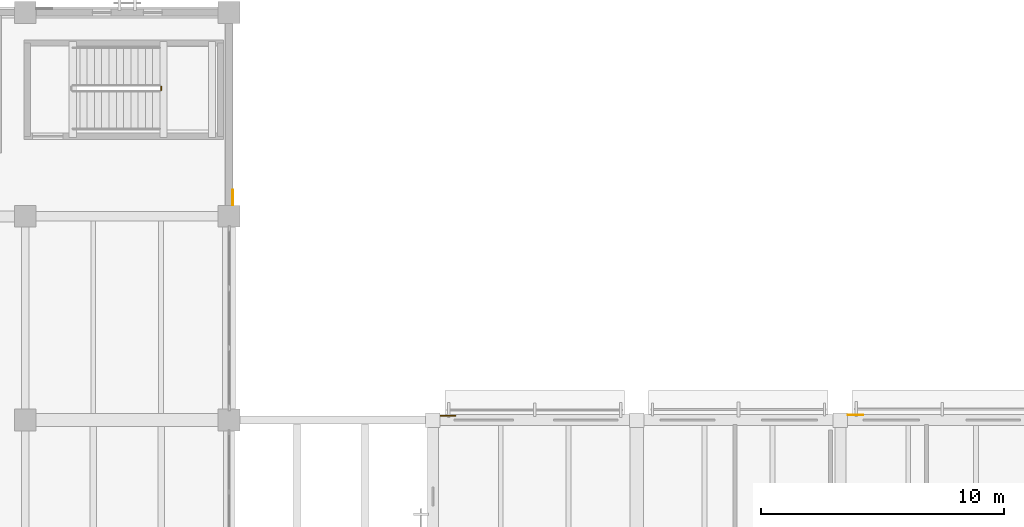
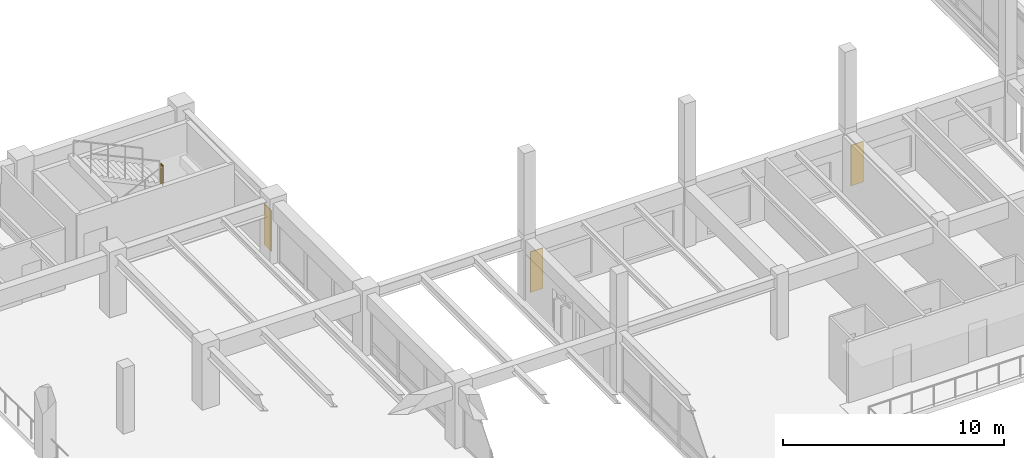
# One storey, part 97 of 118: 3 coverings, 1 railing.
"""IFC4 building model written with IfcOpenShell, lengths in metres."""

from ifc_helpers import new_model, si_unit, direction, frame, origin, origin_2d, place, context, subcontext, project, spatial, polyline, circle, outline, extrude, material, layer, layer_set, type_object, element, save


model = new_model("IFC4")

# Units and contexts
model_context = context("Model", 3, precision=1e-05, world=origin(), true_north=direction((0.0, 1.0)))
body_context = subcontext(model_context, "Body", "Model", "MODEL_VIEW")
ifc_project = project(units=[si_unit("LENGTHUNIT", "METRE"), si_unit("AREAUNIT", "SQUARE_METRE"), si_unit("VOLUMEUNIT", "CUBIC_METRE"), si_unit("PLANEANGLEUNIT", "RADIAN"), si_unit("MASSUNIT", "GRAM", prefix="KILO")], contexts=[model_context])

# Site, building, storey
site_placement = place(None, origin())
site = spatial("IfcSite", under=ifc_project, at=site_placement, CompositionType="ELEMENT")
building_placement = place(site_placement, origin())
building = spatial("IfcBuilding", under=site, at=building_placement, Name="Cumbredor Promenade Congress Hotel", CompositionType="ELEMENT")
storey_placement = place(building_placement, frame((0.0, 0.0, 3.919921875)))
storey = spatial("IfcBuildingStorey", under=building, at=storey_placement, Name="L01", CompositionType="ELEMENT", Elevation=3.919921875)

# Covering
ifc_material_1 = material(Name="Precast concrete C40/50", Category="concrete")
ifc_layer_1 = layer(ifc_material_1, 0.044921875, Name="Precast concrete C40/50", Category="concrete")
ifc_layer_set_1 = layer_set([ifc_layer_1], Name="Precast concrete C40/50")
covering_type_1 = type_object("IfcCoveringType", Name="Board-Formed Architectural Cladding Panel 45mm", PredefinedType="CLADDING", material=ifc_layer_set_1)
covering_1_placement = place(storey_placement, origin())
element("IfcCovering", 1, at=covering_1_placement, inside=storey, type_object=covering_type_1, Name="L01 Facade Stone Cladding Pier 064", PredefinedType="CLADDING", context=body_context, shape_type="SweptSolid", body=[
    extrude(outline(polyline([(75.90087890625, 50.5625), (76.551025390625, 50.5625), (76.551025390625, 50.607421875), (75.90087890625, 50.607421875), (75.90087890625, 50.5625)])), origin(), (0.0, 0.0, 1.0), 2.25),
])

# Railing
ifc_material_2 = material(Name="Brushed stainless steel", Category="steel")
railing_type = type_object("IfcRailingType", Name="Interior Void & Stair Guardrail GR-1100", PredefinedType="GUARDRAIL", material=ifc_material_2)
railing_placement = place(storey_placement, frame((64.39990234375, 64.0, 1.820068359375)))
element("IfcRailing", 2, at=railing_placement, inside=storey, type_object=railing_type, Name="L01 ST-07 stair guard 2", PredefinedType="GUARDRAIL", context=body_context, shape_type="SweptSolid", body=[
    extrude(circle(Radius=0.02392578125, at=origin_2d()), frame((0.0, 0.0, 1.09619140625), z_axis=(0.0, 1.0, 0.0), x_axis=(-1.0, 0.0, 0.0)), (0.0, 0.0, 1.0), 0.14990234375),
    extrude(circle(Radius=0.02099609375, at=origin_2d()), origin(), (0.0, 0.0, 1.0), 1.072021484375),
    extrude(circle(Radius=0.02099609375, at=origin_2d()), frame((0.0, 0.14990234375, 0.0)), (0.0, 0.0, 1.0), 1.072021484375),
])

# Coverings
ifc_material_3 = material(Name="Volcanic andesite ashlar cladding", Category="masonry")
ifc_layer_2 = layer(ifc_material_3, 0.034912109375, Name="Volcanic andesite ashlar cladding", Category="masonry")
ifc_layer_set_2 = layer_set([ifc_layer_2], Name="Volcanic andesite ashlar cladding")
covering_type_2 = type_object("IfcCoveringType", Name="Volcanic Andesite Ashlar Rainscreen Cladding 35mm", PredefinedType="CLADDING", material=ifc_layer_set_2)
covering_2_placement = place(storey_placement, origin())
element("IfcCovering", 3, at=covering_2_placement, inside=storey, type_object=covering_type_2, Name="L01 Facade Stone Cladding Pier 053", PredefinedType="CLADDING", context=body_context, shape_type="SweptSolid", body=[
    extrude(outline(polyline([(67.340087890625, 59.2509765625), (67.340087890625, 59.90087890625), (67.375, 59.90087890625), (67.375, 59.2509765625), (67.340087890625, 59.2509765625)])), origin(), (0.0, 0.0, 1.0), 2.25),
])
covering_3_placement = place(storey_placement, origin())
element("IfcCovering", 4, at=covering_3_placement, inside=storey, type_object=covering_type_2, Name="L01 Facade Stone Cladding Pier 065", PredefinedType="CLADDING", context=body_context, shape_type="SweptSolid", body=[
    extrude(outline(polyline([(92.700927734375, 50.590087890625), (93.35107421875, 50.590087890625), (93.35107421875, 50.625), (92.700927734375, 50.625), (92.700927734375, 50.590087890625)])), origin(), (0.0, 0.0, 1.0), 2.25),
])

save(model, "model.ifc")
